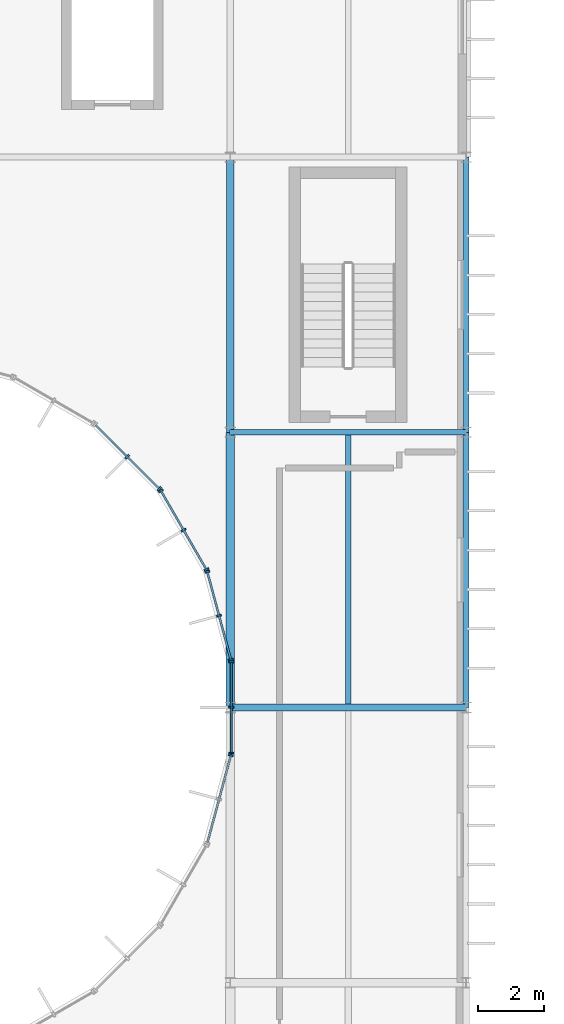
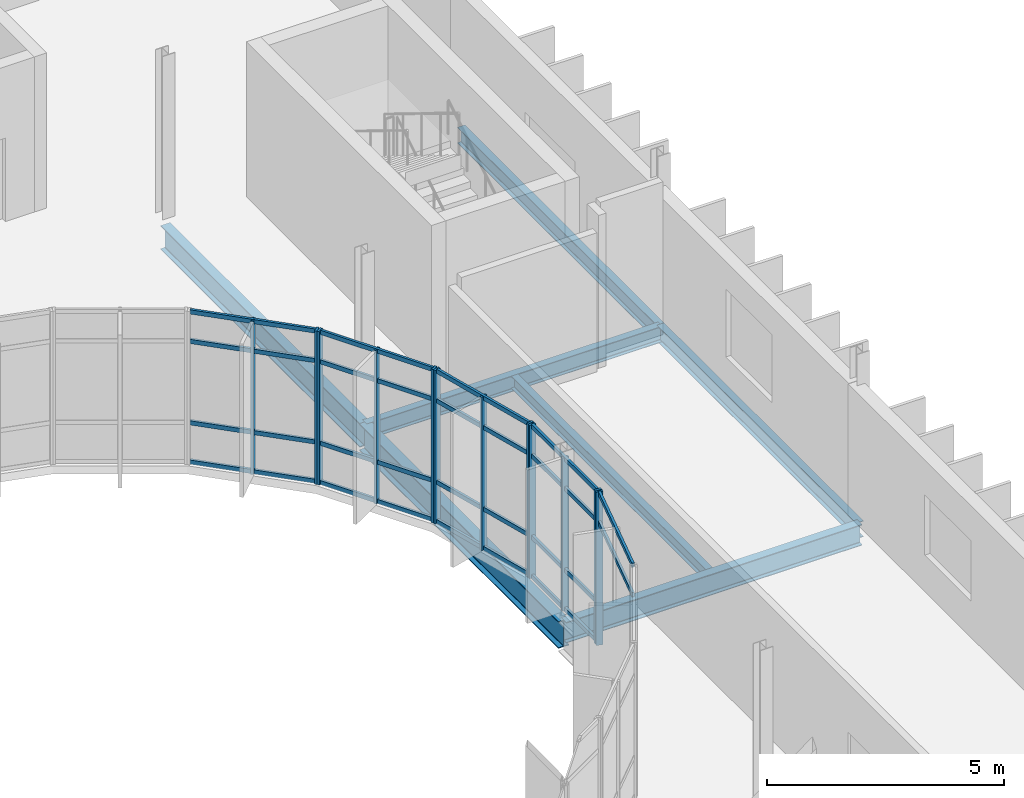
# One storey, part 17 of 52: 30 members, 7 beams, 5 elements without a shape of their own.
"""IFC4 building model written with IfcOpenShell, lengths in metres."""

import ifcopenshell
import ifcopenshell.guid

model = None  # the IFC model being written
_history = None  # IfcOwnerHistory: only IFC2X3 demands one
_inside = {}  # id of a spatial element -> (the spatial element, [elements in it])
_under = {}  # id of a project, library or spatial element -> (it, [spatial elements below it])
_declared = {}  # id of a project -> (the project, [libraries it declares])
_typed = {}  # id of a type object -> (the type object, [elements of that type])
_made_of = {}  # id of a material, layer set ... -> (it, [elements and type objects made of it])


def new_model(schema):
    """Start an empty IFC model of exactly this schema.

    Asked for "IFC4X3", IfcOpenShell would pick the latest addendum, in which some entities
    have other attributes; the version numbers below select the first issue.
    IFC2X3 requires an IfcOwnerHistory on every rooted entity: one is made here for all.
    """
    global model, _history
    if schema == "IFC4X3":
        model = ifcopenshell.file(schema_version=(4, 3, 0, 0))
    else:
        model = ifcopenshell.file(schema=schema)
    _inside.clear()
    _under.clear()
    _declared.clear()
    _typed.clear()
    _made_of.clear()
    _history = None
    if model.schema == "IFC2X3":
        org = make("IfcOrganization", Name="unknown")
        user = make(
            "IfcPersonAndOrganization",
            ThePerson=make("IfcPerson", FamilyName="unknown"),
            TheOrganization=org,
        )
        app = make(
            "IfcApplication",
            ApplicationDeveloper=org,
            Version="unknown",
            ApplicationFullName="unknown",
            ApplicationIdentifier="unknown",
        )
        _history = make(
            "IfcOwnerHistory",
            OwningUser=user,
            OwningApplication=app,
            ChangeAction="ADDED",
            CreationDate=0,
        )
    return model


def make(cls, **values):
    """One entity of the class cls with the attributes given. An attribute that is None is left unset."""
    return model.create_entity(
        cls, **{name: value for name, value in values.items() if value is not None}
    )


def rooted(cls, **values):
    """An entity with a GlobalId (a new one), such as an element, a storey or a relation."""
    return make(cls, GlobalId=ifcopenshell.guid.new(), OwnerHistory=_history, **values)


def si_unit(unit_type, name, prefix=None):
    """IfcSIUnit, for example si_unit("LENGTHUNIT", "METRE", prefix="MILLI")."""
    return make("IfcSIUnit", UnitType=unit_type, Prefix=prefix, Name=name)


def assignment(units):
    """IfcUnitAssignment: the units of a project."""
    return None if units is None else make("IfcUnitAssignment", Units=units)


def point(xyz):
    """IfcCartesianPoint."""
    return None if xyz is None else make("IfcCartesianPoint", Coordinates=xyz)


def direction(xyz):
    """IfcDirection."""
    return None if xyz is None else make("IfcDirection", DirectionRatios=xyz)


def frame(location, z_axis=None, x_axis=None):
    """IfcAxis2Placement3D, a coordinate frame: its origin and axes. An axis left out is left unset."""
    return make(
        "IfcAxis2Placement3D",
        Location=point(location),
        Axis=direction(z_axis),
        RefDirection=direction(x_axis),
    )


def frame_2d(location, x_axis=None):
    """IfcAxis2Placement2D, a coordinate frame in the plane: its origin and x axis."""
    return make(
        "IfcAxis2Placement2D", Location=point(location), RefDirection=direction(x_axis)
    )


def origin():
    """The frame at (0, 0, 0) with its axes left unset."""
    return frame((0.0, 0.0, 0.0))


def origin_2d():
    """The frame at (0, 0) in the plane with its x axis left unset."""
    return frame_2d((0.0, 0.0))


def place(relative_to, where):
    """IfcLocalPlacement: puts the frame where relative to a parent placement (None: the world)."""
    return make(
        "IfcLocalPlacement", PlacementRelTo=relative_to, RelativePlacement=where
    )


def context(
    kind, dimensions, precision=None, world=None, true_north=None, identifier=None
):
    """IfcGeometricRepresentationContext, for example the 3D "Model" context."""
    return make(
        "IfcGeometricRepresentationContext",
        ContextIdentifier=identifier,
        ContextType=kind,
        CoordinateSpaceDimension=dimensions,
        Precision=precision,
        WorldCoordinateSystem=world,
        TrueNorth=true_north,
    )


def subcontext(parent, identifier, kind, view, scale=None):
    """IfcGeometricRepresentationSubContext, for example "Body" below "Model"."""
    return make(
        "IfcGeometricRepresentationSubContext",
        ContextIdentifier=identifier,
        ContextType=kind,
        ParentContext=parent,
        TargetScale=scale,
        TargetView=view,
    )


def project(units=None, contexts=None):
    """IfcProject with its units and contexts."""
    return rooted(
        "IfcProject",
        Name="project",
        RepresentationContexts=contexts,
        UnitsInContext=assignment(units),
    )


def spatial(cls, under=None, at=None, **own):
    """A site, building, storey or space (cls), placed at a placement, below another one or the project."""
    s = rooted(cls, ObjectPlacement=at, **own)
    if under is not None:
        _under.setdefault(under.id(), (under, []))[1].append(s)
    return s


def profile(cls, at=None, kind="AREA", **sizes):
    """A parametric profile (cls). Its sizes go by their IFC names, for example OverallWidth=200.0."""
    return make(cls, ProfileType=kind, Position=at, **sizes)


def rectangle(**sizes):
    """IfcRectangleProfileDef."""
    return profile("IfcRectangleProfileDef", **sizes)


def i_section(**sizes):
    """IfcIShapeProfileDef."""
    return profile("IfcIShapeProfileDef", **sizes)


def extrude(swept, where, along, depth):
    """IfcExtrudedAreaSolid: the profile swept, set in the frame where, extruded along a direction by depth."""
    return make(
        "IfcExtrudedAreaSolid",
        SweptArea=swept,
        Position=where,
        ExtrudedDirection=direction(along),
        Depth=depth,
    )


def shape(context_of_items, identifier, shape_type, items):
    """IfcShapeRepresentation: the items that make up one representation, for example the "Body"."""
    return make(
        "IfcShapeRepresentation",
        ContextOfItems=context_of_items,
        RepresentationIdentifier=identifier,
        RepresentationType=shape_type,
        Items=items,
    )


def material(Name=None, Category=None):
    """IfcMaterial."""
    return make("IfcMaterial", Name=Name, Category=Category)


def material_profile(
    of_material, cross_section, Name=None, Category=None, Priority=None
):
    """IfcMaterialProfile: a cross section and its material."""
    return make(
        "IfcMaterialProfile",
        Name=Name,
        Material=of_material,
        Profile=cross_section,
        Priority=Priority,
        Category=Category,
    )


def profile_set(profiles, Name=None, composite=None):
    """IfcMaterialProfileSet."""
    return make(
        "IfcMaterialProfileSet",
        Name=Name,
        MaterialProfiles=profiles,
        CompositeProfile=composite,
    )


def made_of(thing, what):
    """Note that an element or type object is made of a material, layer set ...; save() writes the relation."""
    if what is not None:
        _made_of.setdefault(what.id(), (what, []))[1].append(thing)
    return thing


def type_object(cls, material=None, **own):
    """A type object (cls), such as IfcWallType, which elements share."""
    return made_of(rooted(cls, **own), material)


def element(
    cls,
    number,
    at=None,
    inside=None,
    cuts=None,
    type_object=None,
    material=None,
    context=None,
    identifier="Body",
    shape_type=None,
    held_by="IfcProductDefinitionShape",
    body=None,
    shapes=None,
    **own,
):
    """One element of the class cls, such as IfcWall. Its Tag is "e" and its number.

    at: its placement. inside: the storey or other place that contains it. cuts: it is an
    opening in that element (IfcRelVoidsElement). A single representation is given by context,
    identifier, shape_type and body (its items); several are given by shapes. held_by: the class
    of the entity that holds the representations. save() writes the other relations.
    """
    e = rooted(cls, Tag="e%d" % number, ObjectPlacement=at, **own)
    if body is not None:
        shapes = [shape(context, identifier, shape_type, body)]
    if shapes is not None:
        e.Representation = make(held_by, Representations=shapes)
    if inside is not None:
        _inside.setdefault(inside.id(), (inside, []))[1].append(e)
    if cuts is not None:
        rooted(
            "IfcRelVoidsElement", RelatingBuildingElement=cuts, RelatedOpeningElement=e
        )
    if type_object is not None:
        _typed.setdefault(type_object.id(), (type_object, []))[1].append(e)
    return made_of(e, material)


def aggregate(whole, parts):
    """IfcRelAggregates: a whole, such as a stair, and the parts it consists of."""
    return rooted("IfcRelAggregates", RelatingObject=whole, RelatedObjects=parts)


def save(model, path):
    """Write the relations noted so far, then the file.

    IfcRelAggregates (storeys below a building ...), IfcRelContainedInSpatialStructure (elements
    in a storey), IfcRelDefinesByType, IfcRelAssociatesMaterial and IfcRelDeclares: one each for
    every whole, place, type object, material and project.
    """
    for whole, parts in _under.values():
        aggregate(whole, parts)
    for where, things in _inside.values():
        rooted(
            "IfcRelContainedInSpatialStructure",
            RelatedElements=things,
            RelatingStructure=where,
        )
    for kind, things in _typed.values():
        rooted("IfcRelDefinesByType", RelatedObjects=things, RelatingType=kind)
    for what, things in _made_of.values():
        rooted("IfcRelAssociatesMaterial", RelatedObjects=things, RelatingMaterial=what)
    for by, libraries in _declared.values():
        rooted("IfcRelDeclares", RelatingContext=by, RelatedDefinitions=libraries)
    model.write(path)


model = new_model("IFC4")

# Units and contexts
model_context = context("Model", 3, precision=1e-05, world=origin(), true_north=direction((0.0, 1.0)))
body_context = subcontext(model_context, "Body", "Model", "MODEL_VIEW")
ifc_project = project(units=[si_unit("LENGTHUNIT", "METRE"), si_unit("AREAUNIT", "SQUARE_METRE"), si_unit("VOLUMEUNIT", "CUBIC_METRE"), si_unit("PLANEANGLEUNIT", "RADIAN"), si_unit("MASSUNIT", "GRAM", prefix="KILO")], contexts=[model_context])

# Site, building, storey
site_placement = place(None, origin())
site = spatial("IfcSite", under=ifc_project, at=site_placement, CompositionType="ELEMENT")
building_placement = place(site_placement, origin())
building = spatial("IfcBuilding", under=site, at=building_placement, Name="Qelthora Terrace Specialist Clinic", CompositionType="ELEMENT")
storey_placement = place(building_placement, frame((0.0, 0.0, 17.39990234375)))
storey = spatial("IfcBuildingStorey", under=building, at=storey_placement, Name="L04", CompositionType="ELEMENT", Elevation=17.39990234375)

# Beams
ifc_material_1 = material(Name="Steel S355", Category="steel")
ifc_material_profile_1 = material_profile(ifc_material_1, i_section(OverallWidth=0.178955078125, OverallDepth=0.409912109375, WebThickness=0.0087890625, FlangeThickness=0.014404296875, FilletRadius=0.011962890625, at=origin_2d()), Name="W410X67")
ifc_profile_set_1 = profile_set([ifc_material_profile_1], Name="Steel S355")
beam_type_1 = type_object("IfcBeamType", Name="BM-W410X67", PredefinedType="BEAM", material=ifc_profile_set_1)
beam_1_placement = place(storey_placement, frame((36.0, 92.39990234375, -0.454833984375), z_axis=(1.0, 0.0, 0.0), x_axis=(0.0, 1.0, 0.0)))
element("IfcBeam", 1, at=beam_1_placement, inside=storey, type_object=beam_type_1, Name="Girder BMX-L04-1174", PredefinedType="BEAM", context=body_context, shape_type="SweptSolid", body=[
    extrude(i_section(OverallWidth=0.178955078125, OverallDepth=0.409912109375, WebThickness=0.0087890625, FlangeThickness=0.014404296875, FilletRadius=0.011962890625, at=origin_2d()), origin(), (0.0, 0.0, 1.0), 7.199951171875),
])
beam_2_placement = place(storey_placement, frame((43.199951171875, 92.39990234375, -0.454833984375), z_axis=(0.0, 1.0, 0.0), x_axis=(-1.0, 0.0, 0.0)))
element("IfcBeam", 2, at=beam_2_placement, inside=storey, type_object=beam_type_1, Name="Girder BMY-L04-1240", PredefinedType="BEAM", context=body_context, shape_type="SweptSolid", body=[
    extrude(i_section(OverallWidth=0.178955078125, OverallDepth=0.409912109375, WebThickness=0.0087890625, FlangeThickness=0.014404296875, FilletRadius=0.011962890625, at=origin_2d()), origin(), (0.0, 0.0, 1.0), 8.400146484375),
])
ifc_material_profile_2 = material_profile(ifc_material_1, i_section(OverallWidth=0.179931640625, OverallDepth=0.4130859375, WebThickness=0.009765625, FlangeThickness=0.01611328125, FilletRadius=0.011962890625, at=origin_2d()), Name="W410X75")
ifc_profile_set_2 = profile_set([ifc_material_profile_2], Name="Steel S355")
beam_type_2 = type_object("IfcBeamType", Name="BM-W410X75", PredefinedType="BEAM", material=ifc_profile_set_2)
beam_3_placement = place(storey_placement, frame((43.199951171875, 84.0, -0.456298828125), z_axis=(0.0, 1.0, 0.0), x_axis=(-1.0, 0.0, 0.0)))
element("IfcBeam", 3, at=beam_3_placement, inside=storey, type_object=beam_type_2, Name="Girder BMY-L04-1239", PredefinedType="BEAM", context=body_context, shape_type="SweptSolid", body=[
    extrude(i_section(OverallWidth=0.179931640625, OverallDepth=0.4130859375, WebThickness=0.009765625, FlangeThickness=0.01611328125, FilletRadius=0.011962890625, at=origin_2d()), origin(), (0.0, 0.0, 1.0), 8.39990234375),
])
ifc_material_profile_3 = material_profile(ifc_material_1, i_section(OverallWidth=0.2099609375, OverallDepth=0.537109375, WebThickness=0.010986328125, FlangeThickness=0.017333984375, FilletRadius=0.013916015625, at=origin_2d()), Name="W530X101")
ifc_profile_set_3 = profile_set([ifc_material_profile_3], Name="Steel S355")
beam_type_3 = type_object("IfcBeamType", Name="BM-W530X101", PredefinedType="BEAM", material=ifc_profile_set_3)
beam_4_placement = place(storey_placement, frame((36.0, 84.0, -0.518310546875), z_axis=(1.0, 0.0, 0.0), x_axis=(0.0, 1.0, 0.0)))
element("IfcBeam", 4, at=beam_4_placement, inside=storey, type_object=beam_type_3, Name="Girder BMX-L04-1168", PredefinedType="BEAM", context=body_context, shape_type="SweptSolid", body=[
    extrude(i_section(OverallWidth=0.2099609375, OverallDepth=0.537109375, WebThickness=0.010986328125, FlangeThickness=0.017333984375, FilletRadius=0.013916015625, at=origin_2d()), origin(), (0.0, 0.0, 1.0), 7.199951171875),
])
ifc_material_profile_4 = material_profile(ifc_material_1, i_section(OverallWidth=0.22998046875, OverallDepth=0.616943359375, WebThickness=0.01318359375, FlangeThickness=0.022216796875, FilletRadius=0.01611328125, at=origin_2d()), Name="W610X140")
ifc_profile_set_4 = profile_set([ifc_material_profile_4], Name="Steel S355")
beam_type_4 = type_object("IfcBeamType", Name="BM-W610X140", PredefinedType="BEAM", material=ifc_profile_set_4)
beam_5_placement = place(storey_placement, frame((36.0, 92.39990234375, -0.558349609375), z_axis=(0.0, 1.0, 0.0), x_axis=(-1.0, 0.0, 0.0)))
element("IfcBeam", 5, at=beam_5_placement, inside=storey, type_object=beam_type_4, Name="Girder BMY-L04-1234", PredefinedType="BEAM", context=body_context, shape_type="SweptSolid", body=[
    extrude(i_section(OverallWidth=0.22998046875, OverallDepth=0.616943359375, WebThickness=0.01318359375, FlangeThickness=0.022216796875, FilletRadius=0.01611328125, at=origin_2d()), origin(), (0.0, 0.0, 1.0), 8.400146484375),
])
ifc_material_profile_5 = material_profile(ifc_material_1, i_section(OverallWidth=0.256103515625, OverallDepth=0.693115234375, WebThickness=0.014404296875, FlangeThickness=0.023681640625, FilletRadius=0.01806640625, at=origin_2d()), Name="W690X170")
ifc_profile_set_5 = profile_set([ifc_material_profile_5], Name="Steel S355")
beam_type_5 = type_object("IfcBeamType", Name="BM-W690X170", PredefinedType="BEAM", material=ifc_profile_set_5)
beam_6_placement = place(storey_placement, frame((36.0, 84.0, -0.596435546875), z_axis=(0.0, 1.0, 0.0), x_axis=(-1.0, 0.0, 0.0)))
element("IfcBeam", 6, at=beam_6_placement, inside=storey, type_object=beam_type_5, Name="Girder BMY-L04-1233", PredefinedType="BEAM", context=body_context, shape_type="SweptSolid", body=[
    extrude(i_section(OverallWidth=0.256103515625, OverallDepth=0.693115234375, WebThickness=0.014404296875, FlangeThickness=0.023681640625, FilletRadius=0.01806640625, at=origin_2d()), origin(), (0.0, 0.0, 1.0), 8.39990234375),
])

# Curtain wall, members
ifc_material_2 = material(Name="Aluminium anodized bronze", Category="aluminium")
curtain_wall_type = type_object("IfcCurtainWallType", Name="CW-CRTW-UPP", PredefinedType="NOTDEFINED", material=ifc_material_2)
curtain_wall_1_placement = place(storey_placement, origin())
curtain_wall_1 = element("IfcCurtainWall", 7, at=curtain_wall_1_placement, inside=storey, type_object=curtain_wall_type, Name="Curtain wall CW-CW-L04-01", PredefinedType="NOTDEFINED")
ifc_material_profile_6 = material_profile(ifc_material_2, rectangle(XDim=0.06005859375, YDim=0.14990234375, at=origin_2d()), Name="CWM60X150")
ifc_profile_set_6 = profile_set([ifc_material_profile_6], Name="Aluminium anodized bronze")
member_type_1 = type_object("IfcMemberType", Name="CWM-60X150", PredefinedType="MULLION", material=ifc_profile_set_6)
member_1_placement = place(storey_placement, frame((36.018310546875, 85.4599609375, 0.0), z_axis=(0.0, 0.0, 1.0), x_axis=(-0.258820356987, 0.96592547477, 0.0)))
member_1 = element("IfcMember", 8, at=member_1_placement, type_object=member_type_1, Name="CW-CW-L04-01 mullion 1", PredefinedType="MULLION", context=body_context, shape_type="SweptSolid", body=[
    extrude(rectangle(XDim=0.06005859375, YDim=0.14990234375, at=origin_2d()), origin(), (0.0, 0.0, 1.0), 3.945068359375),
])
member_2_placement = place(storey_placement, frame((35.65869140625, 86.802490234375, 0.0), z_axis=(0.0, 0.0, 1.0), x_axis=(-0.258820356987, 0.96592547477, 0.0)))
member_2 = element("IfcMember", 9, at=member_2_placement, type_object=member_type_1, Name="CW-CW-L04-01 mullion 2", PredefinedType="MULLION", context=body_context, shape_type="SweptSolid", body=[
    extrude(rectangle(XDim=0.06005859375, YDim=0.14990234375, at=origin_2d()), origin(), (0.0, 0.0, 1.0), 3.945068359375),
])
member_3_placement = place(storey_placement, frame((35.299072265625, 88.144775390625, 0.0), z_axis=(0.0, 0.0, 1.0), x_axis=(-0.258820356987, 0.96592547477, 0.0)))
member_3 = element("IfcMember", 10, at=member_3_placement, type_object=member_type_1, Name="CW-CW-L04-01 mullion 3", PredefinedType="MULLION", context=body_context, shape_type="SweptSolid", body=[
    extrude(rectangle(XDim=0.06005859375, YDim=0.14990234375, at=origin_2d()), origin(), (0.0, 0.0, 1.0), 3.945068359375),
])

curtain_wall_2_placement = place(storey_placement, origin())
curtain_wall_2 = element("IfcCurtainWall", 11, at=curtain_wall_2_placement, inside=storey, type_object=curtain_wall_type, Name="Curtain wall CW-CW-L04-02", PredefinedType="NOTDEFINED")
member_4_placement = place(storey_placement, frame((35.271728515625, 88.210205078125, 0.0), z_axis=(0.0, 0.0, 1.0), x_axis=(-0.499999597971, 0.866025635896, 0.0)))
member_4 = element("IfcMember", 12, at=member_4_placement, type_object=member_type_1, Name="CW-CW-L04-02 mullion 1", PredefinedType="MULLION", context=body_context, shape_type="SweptSolid", body=[
    extrude(rectangle(XDim=0.06005859375, YDim=0.14990234375, at=origin_2d()), origin(), (0.0, 0.0, 1.0), 3.945068359375),
])
member_5_placement = place(storey_placement, frame((34.576904296875, 89.413818359375, 0.0), z_axis=(0.0, 0.0, 1.0), x_axis=(-0.499999597971, 0.866025635896, 0.0)))
member_5 = element("IfcMember", 13, at=member_5_placement, type_object=member_type_1, Name="CW-CW-L04-02 mullion 2", PredefinedType="MULLION", context=body_context, shape_type="SweptSolid", body=[
    extrude(rectangle(XDim=0.06005859375, YDim=0.14990234375, at=origin_2d()), origin(), (0.0, 0.0, 1.0), 3.945068359375),
])
member_6_placement = place(storey_placement, frame((33.882080078125, 90.6171875, 0.0), z_axis=(0.0, 0.0, 1.0), x_axis=(-0.499999597971, 0.866025635896, 0.0)))
member_6 = element("IfcMember", 14, at=member_6_placement, type_object=member_type_1, Name="CW-CW-L04-02 mullion 3", PredefinedType="MULLION", context=body_context, shape_type="SweptSolid", body=[
    extrude(rectangle(XDim=0.06005859375, YDim=0.14990234375, at=origin_2d()), origin(), (0.0, 0.0, 1.0), 3.945068359375),
])

curtain_wall_3_placement = place(storey_placement, origin())
curtain_wall_3 = element("IfcCurtainWall", 15, at=curtain_wall_3_placement, inside=storey, type_object=curtain_wall_type, Name="Curtain wall CW-CW-L04-03", PredefinedType="NOTDEFINED")
member_7_placement = place(storey_placement, frame((33.8388671875, 90.673583984375, 0.0), z_axis=(0.0, 0.0, 1.0), x_axis=(-0.707106781187, 0.707106781187, 0.0)))
member_7 = element("IfcMember", 16, at=member_7_placement, type_object=member_type_1, Name="CW-CW-L04-03 mullion 1", PredefinedType="MULLION", context=body_context, shape_type="SweptSolid", body=[
    extrude(rectangle(XDim=0.06005859375, YDim=0.14990234375, at=origin_2d()), origin(), (0.0, 0.0, 1.0), 3.945068359375),
])
member_8_placement = place(storey_placement, frame((32.856201171875, 91.65625, 0.0), z_axis=(0.0, 0.0, 1.0), x_axis=(-0.707106781187, 0.707106781187, 0.0)))
member_8 = element("IfcMember", 17, at=member_8_placement, type_object=member_type_1, Name="CW-CW-L04-03 mullion 2", PredefinedType="MULLION", context=body_context, shape_type="SweptSolid", body=[
    extrude(rectangle(XDim=0.06005859375, YDim=0.14990234375, at=origin_2d()), origin(), (0.0, 0.0, 1.0), 3.945068359375),
])

# Curtain wall, member
curtain_wall_4_placement = place(storey_placement, origin())
curtain_wall_4 = element("IfcCurtainWall", 18, at=curtain_wall_4_placement, inside=storey, type_object=curtain_wall_type, Name="Curtain wall CW-CW-L04-23", PredefinedType="NOTDEFINED")
member_9_placement = place(storey_placement, frame((36.018310546875, 82.5400390625, 0.0), z_axis=(0.0, 0.0, 1.0), x_axis=(0.258820356987, 0.96592547477, 0.0)))
member_9 = element("IfcMember", 19, at=member_9_placement, type_object=member_type_1, Name="CW-CW-L04-23 mullion 3", PredefinedType="MULLION", context=body_context, shape_type="SweptSolid", body=[
    extrude(rectangle(XDim=0.06005859375, YDim=0.14990234375, at=origin_2d()), origin(), (0.0, 0.0, 1.0), 3.945068359375),
])

# Curtain wall, members
curtain_wall_5_placement = place(storey_placement, origin())
curtain_wall_5 = element("IfcCurtainWall", 20, at=curtain_wall_5_placement, inside=storey, type_object=curtain_wall_type, Name="Curtain wall CW-CW-L04-24", PredefinedType="NOTDEFINED")
member_10_placement = place(storey_placement, frame((36.027587890625, 82.6103515625, 0.0), z_axis=(0.0, 0.0, 1.0), x_axis=(0.0, 1.0, 0.0)))
member_10 = element("IfcMember", 21, at=member_10_placement, type_object=member_type_1, Name="CW-CW-L04-24 mullion 1", PredefinedType="MULLION", context=body_context, shape_type="SweptSolid", body=[
    extrude(rectangle(XDim=0.06005859375, YDim=0.14990234375, at=origin_2d()), origin(), (0.0, 0.0, 1.0), 3.945068359375),
])
member_11_placement = place(storey_placement, frame((36.027587890625, 84.0, 0.0), z_axis=(0.0, 0.0, 1.0), x_axis=(0.0, 1.0, 0.0)))
member_11 = element("IfcMember", 22, at=member_11_placement, type_object=member_type_1, Name="CW-CW-L04-24 mullion 2", PredefinedType="MULLION", context=body_context, shape_type="SweptSolid", body=[
    extrude(rectangle(XDim=0.06005859375, YDim=0.14990234375, at=origin_2d()), origin(), (0.0, 0.0, 1.0), 3.945068359375),
])
member_12_placement = place(storey_placement, frame((36.027587890625, 85.3896484375, 0.0), z_axis=(0.0, 0.0, 1.0), x_axis=(0.0, 1.0, 0.0)))
member_12 = element("IfcMember", 23, at=member_12_placement, type_object=member_type_1, Name="CW-CW-L04-24 mullion 3", PredefinedType="MULLION", context=body_context, shape_type="SweptSolid", body=[
    extrude(rectangle(XDim=0.06005859375, YDim=0.14990234375, at=origin_2d()), origin(), (0.0, 0.0, 1.0), 3.945068359375),
])

# Member
ifc_material_profile_7 = material_profile(ifc_material_2, rectangle(XDim=0.06005859375, YDim=0.110107421875, at=origin_2d()), Name="CWT60X110")
ifc_profile_set_7 = profile_set([ifc_material_profile_7], Name="Aluminium anodized bronze")
member_type_2 = type_object("IfcMemberType", Name="CWT-60X110", PredefinedType="USERDEFINED", material=ifc_profile_set_7)
member_13_placement = place(storey_placement, frame((36.01318359375, 85.4794921875, 0.0400390625), z_axis=(-0.258816272122, 0.965926569303, 0.0), x_axis=(-0.965926569303, -0.258816272122, 0.0)))
member_13 = element("IfcMember", 24, at=member_13_placement, type_object=member_type_2, Name="CW-CW-L04-01 transom 1", ObjectType="TRANSOM", PredefinedType="USERDEFINED", context=body_context, shape_type="SweptSolid", body=[
    extrude(rectangle(XDim=0.06005859375, YDim=0.110107421875, at=origin_2d()), origin(), (0.0, 0.0, 1.0), 2.7392578125),
])

member_14_placement = place(storey_placement, frame((36.01318359375, 85.4794921875, 1.050048828125), z_axis=(-0.258816272122, 0.965926569303, 0.0), x_axis=(-0.965926569303, -0.258816272122, 0.0)))
member_14 = element("IfcMember", 25, at=member_14_placement, type_object=member_type_2, Name="CW-CW-L04-01 transom 2", ObjectType="TRANSOM", PredefinedType="USERDEFINED", context=body_context, shape_type="SweptSolid", body=[
    extrude(rectangle(XDim=0.06005859375, YDim=0.110107421875, at=origin_2d()), origin(), (0.0, 0.0, 1.0), 2.7392578125),
])

member_15_placement = place(storey_placement, frame((36.01318359375, 85.4794921875, 3.14501953125), z_axis=(-0.258816272122, 0.965926569303, 0.0), x_axis=(-0.965926569303, -0.258816272122, 0.0)))
member_15 = element("IfcMember", 26, at=member_15_placement, type_object=member_type_2, Name="CW-CW-L04-01 transom 3", ObjectType="TRANSOM", PredefinedType="USERDEFINED", context=body_context, shape_type="SweptSolid", body=[
    extrude(rectangle(XDim=0.06005859375, YDim=0.110107421875, at=origin_2d()), origin(), (0.0, 0.0, 1.0), 2.7392578125),
])

member_16_placement = place(storey_placement, frame((36.01318359375, 85.4794921875, 3.905029296875), z_axis=(-0.258816272122, 0.965926569303, 0.0), x_axis=(-0.965926569303, -0.258816272122, 0.0)))
member_16 = element("IfcMember", 27, at=member_16_placement, type_object=member_type_2, Name="CW-CW-L04-01 transom 4", ObjectType="TRANSOM", PredefinedType="USERDEFINED", context=body_context, shape_type="SweptSolid", body=[
    extrude(rectangle(XDim=0.06005859375, YDim=0.110107421875, at=origin_2d()), origin(), (0.0, 0.0, 1.0), 2.7392578125),
])

aggregate(curtain_wall_1, [member_1, member_2, member_3, member_13, member_14, member_15, member_16])

member_17_placement = place(storey_placement, frame((35.26171875, 88.2275390625, 0.0400390625), z_axis=(-0.499953886166, 0.866052025982, 0.0), x_axis=(-0.866052025982, -0.499953886166, 0.0)))
member_17 = element("IfcMember", 28, at=member_17_placement, type_object=member_type_2, Name="CW-CW-L04-02 transom 1", ObjectType="TRANSOM", PredefinedType="USERDEFINED", context=body_context, shape_type="SweptSolid", body=[
    extrude(rectangle(XDim=0.06005859375, YDim=0.110107421875, at=origin_2d()), origin(), (0.0, 0.0, 1.0), 2.739501953125),
])

member_18_placement = place(storey_placement, frame((35.26171875, 88.2275390625, 1.050048828125), z_axis=(-0.499953886166, 0.866052025982, 0.0), x_axis=(-0.866052025982, -0.499953886166, 0.0)))
member_18 = element("IfcMember", 29, at=member_18_placement, type_object=member_type_2, Name="CW-CW-L04-02 transom 2", ObjectType="TRANSOM", PredefinedType="USERDEFINED", context=body_context, shape_type="SweptSolid", body=[
    extrude(rectangle(XDim=0.06005859375, YDim=0.110107421875, at=origin_2d()), origin(), (0.0, 0.0, 1.0), 2.739501953125),
])

member_19_placement = place(storey_placement, frame((35.26171875, 88.2275390625, 3.14501953125), z_axis=(-0.499953886166, 0.866052025982, 0.0), x_axis=(-0.866052025982, -0.499953886166, 0.0)))
member_19 = element("IfcMember", 30, at=member_19_placement, type_object=member_type_2, Name="CW-CW-L04-02 transom 3", ObjectType="TRANSOM", PredefinedType="USERDEFINED", context=body_context, shape_type="SweptSolid", body=[
    extrude(rectangle(XDim=0.06005859375, YDim=0.110107421875, at=origin_2d()), origin(), (0.0, 0.0, 1.0), 2.739501953125),
])

member_20_placement = place(storey_placement, frame((35.26171875, 88.2275390625, 3.905029296875), z_axis=(-0.499953886166, 0.866052025982, 0.0), x_axis=(-0.866052025982, -0.499953886166, 0.0)))
member_20 = element("IfcMember", 31, at=member_20_placement, type_object=member_type_2, Name="CW-CW-L04-02 transom 4", ObjectType="TRANSOM", PredefinedType="USERDEFINED", context=body_context, shape_type="SweptSolid", body=[
    extrude(rectangle(XDim=0.06005859375, YDim=0.110107421875, at=origin_2d()), origin(), (0.0, 0.0, 1.0), 2.739501953125),
])

aggregate(curtain_wall_2, [member_4, member_5, member_6, member_17, member_18, member_19, member_20])

member_21_placement = place(storey_placement, frame((33.82470703125, 90.687744140625, 0.0400390625), z_axis=(-0.707106781187, 0.707106781187, 0.0), x_axis=(-0.707106781187, -0.707106781187, 0.0)))
member_21 = element("IfcMember", 32, at=member_21_placement, type_object=member_type_2, Name="CW-CW-L04-03 transom 1", ObjectType="TRANSOM", PredefinedType="USERDEFINED", context=body_context, shape_type="SweptSolid", body=[
    extrude(rectangle(XDim=0.06005859375, YDim=0.110107421875, at=origin_2d()), origin(), (0.0, 0.0, 1.0), 2.7392578125),
])

member_22_placement = place(storey_placement, frame((33.82470703125, 90.687744140625, 1.050048828125), z_axis=(-0.707106781187, 0.707106781187, 0.0), x_axis=(-0.707106781187, -0.707106781187, 0.0)))
member_22 = element("IfcMember", 33, at=member_22_placement, type_object=member_type_2, Name="CW-CW-L04-03 transom 2", ObjectType="TRANSOM", PredefinedType="USERDEFINED", context=body_context, shape_type="SweptSolid", body=[
    extrude(rectangle(XDim=0.06005859375, YDim=0.110107421875, at=origin_2d()), origin(), (0.0, 0.0, 1.0), 2.7392578125),
])

member_23_placement = place(storey_placement, frame((33.82470703125, 90.687744140625, 3.14501953125), z_axis=(-0.707106781187, 0.707106781187, 0.0), x_axis=(-0.707106781187, -0.707106781187, 0.0)))
member_23 = element("IfcMember", 34, at=member_23_placement, type_object=member_type_2, Name="CW-CW-L04-03 transom 3", ObjectType="TRANSOM", PredefinedType="USERDEFINED", context=body_context, shape_type="SweptSolid", body=[
    extrude(rectangle(XDim=0.06005859375, YDim=0.110107421875, at=origin_2d()), origin(), (0.0, 0.0, 1.0), 2.7392578125),
])

member_24_placement = place(storey_placement, frame((33.82470703125, 90.687744140625, 3.905029296875), z_axis=(-0.707106781187, 0.707106781187, 0.0), x_axis=(-0.707106781187, -0.707106781187, 0.0)))
member_24 = element("IfcMember", 35, at=member_24_placement, type_object=member_type_2, Name="CW-CW-L04-03 transom 4", ObjectType="TRANSOM", PredefinedType="USERDEFINED", context=body_context, shape_type="SweptSolid", body=[
    extrude(rectangle(XDim=0.06005859375, YDim=0.110107421875, at=origin_2d()), origin(), (0.0, 0.0, 1.0), 2.7392578125),
])

aggregate(curtain_wall_3, [member_7, member_8, member_21, member_22, member_23, member_24])

member_25_placement = place(storey_placement, frame((35.30419921875, 79.87451171875, 3.14501953125), z_axis=(0.258816272122, 0.965926569303, 0.0), x_axis=(-0.965926569303, 0.258816272122, 0.0)))
member_25 = element("IfcMember", 36, at=member_25_placement, type_object=member_type_2, Name="CW-CW-L04-23 transom 3", ObjectType="TRANSOM", PredefinedType="USERDEFINED", context=body_context, shape_type="SweptSolid", body=[
    extrude(rectangle(XDim=0.06005859375, YDim=0.110107421875, at=origin_2d()), origin(), (0.0, 0.0, 1.0), 2.7392578125),
])

member_26_placement = place(storey_placement, frame((35.30419921875, 79.87451171875, 3.905029296875), z_axis=(0.258816272122, 0.965926569303, 0.0), x_axis=(-0.965926569303, 0.258816272122, 0.0)))
member_26 = element("IfcMember", 37, at=member_26_placement, type_object=member_type_2, Name="CW-CW-L04-23 transom 4", ObjectType="TRANSOM", PredefinedType="USERDEFINED", context=body_context, shape_type="SweptSolid", body=[
    extrude(rectangle(XDim=0.06005859375, YDim=0.110107421875, at=origin_2d()), origin(), (0.0, 0.0, 1.0), 2.7392578125),
])

aggregate(curtain_wall_4, [member_9, member_25, member_26])

member_27_placement = place(storey_placement, frame((36.027587890625, 82.63037109375, 0.0400390625), z_axis=(0.0, 1.0, 0.0), x_axis=(-1.0, 0.0, 0.0)))
member_27 = element("IfcMember", 38, at=member_27_placement, type_object=member_type_2, Name="CW-CW-L04-24 transom 1", ObjectType="TRANSOM", PredefinedType="USERDEFINED", context=body_context, shape_type="SweptSolid", body=[
    extrude(rectangle(XDim=0.06005859375, YDim=0.110107421875, at=origin_2d()), origin(), (0.0, 0.0, 1.0), 2.7392578125),
])

member_28_placement = place(storey_placement, frame((36.027587890625, 82.63037109375, 1.050048828125), z_axis=(0.0, 1.0, 0.0), x_axis=(-1.0, 0.0, 0.0)))
member_28 = element("IfcMember", 39, at=member_28_placement, type_object=member_type_2, Name="CW-CW-L04-24 transom 2", ObjectType="TRANSOM", PredefinedType="USERDEFINED", context=body_context, shape_type="SweptSolid", body=[
    extrude(rectangle(XDim=0.06005859375, YDim=0.110107421875, at=origin_2d()), origin(), (0.0, 0.0, 1.0), 2.7392578125),
])

member_29_placement = place(storey_placement, frame((36.027587890625, 82.63037109375, 3.14501953125), z_axis=(0.0, 1.0, 0.0), x_axis=(-1.0, 0.0, 0.0)))
member_29 = element("IfcMember", 40, at=member_29_placement, type_object=member_type_2, Name="CW-CW-L04-24 transom 3", ObjectType="TRANSOM", PredefinedType="USERDEFINED", context=body_context, shape_type="SweptSolid", body=[
    extrude(rectangle(XDim=0.06005859375, YDim=0.110107421875, at=origin_2d()), origin(), (0.0, 0.0, 1.0), 2.7392578125),
])

member_30_placement = place(storey_placement, frame((36.027587890625, 82.63037109375, 3.905029296875), z_axis=(0.0, 1.0, 0.0), x_axis=(-1.0, 0.0, 0.0)))
member_30 = element("IfcMember", 41, at=member_30_placement, type_object=member_type_2, Name="CW-CW-L04-24 transom 4", ObjectType="TRANSOM", PredefinedType="USERDEFINED", context=body_context, shape_type="SweptSolid", body=[
    extrude(rectangle(XDim=0.06005859375, YDim=0.110107421875, at=origin_2d()), origin(), (0.0, 0.0, 1.0), 2.7392578125),
])

aggregate(curtain_wall_5, [member_10, member_11, member_12, member_27, member_28, member_29, member_30])

# Beam
ifc_material_profile_8 = material_profile(ifc_material_1, i_section(OverallWidth=0.1669921875, OverallDepth=0.31689453125, WebThickness=0.007568359375, FlangeThickness=0.01318359375, FilletRadius=0.010009765625, at=origin_2d()), Name="W310X52")
ifc_profile_set_8 = profile_set([ifc_material_profile_8], Name="Steel S355")
beam_type_6 = type_object("IfcBeamType", Name="JST-W310X52", PredefinedType="JOIST", material=ifc_profile_set_8)
beam_7_placement = place(storey_placement, frame((39.60009765625, 84.10498046875, -0.408447265625), z_axis=(0.0, 1.0, 0.0), x_axis=(-1.0, 0.0, 0.0)))
element("IfcBeam", 42, at=beam_7_placement, inside=storey, type_object=beam_type_6, Name="Composite floor joist JST-L04-0273", PredefinedType="JOIST", context=body_context, shape_type="SweptSolid", body=[
    extrude(i_section(OverallWidth=0.1669921875, OverallDepth=0.31689453125, WebThickness=0.007568359375, FlangeThickness=0.01318359375, FilletRadius=0.010009765625, at=origin_2d()), origin(), (0.0, 0.0, 1.0), 8.20556640625),
])

save(model, "model.ifc")
